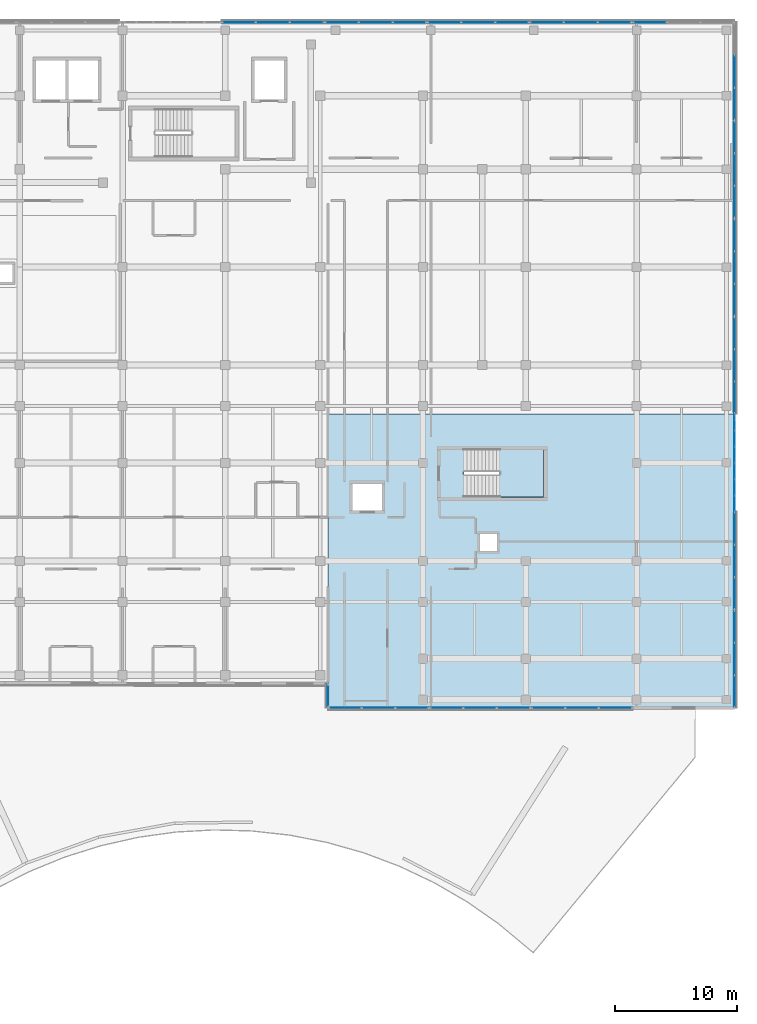
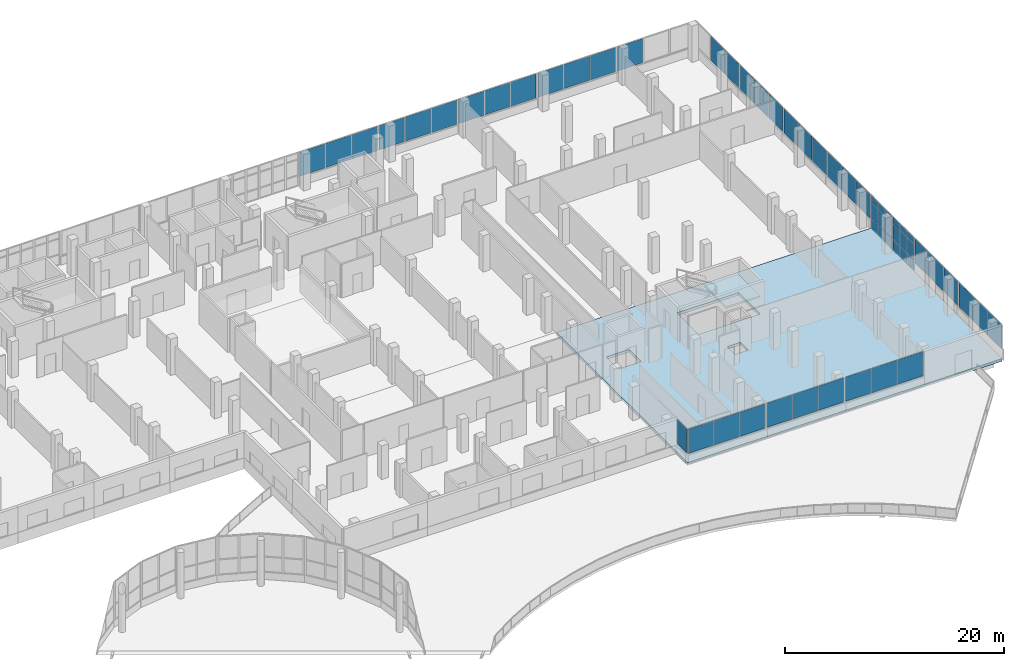
# One storey, part 80 of 101: 58 plates, 2 slabs, 17 elements without a shape of their own.
"""IFC4 building model written with IfcOpenShell, lengths in metres."""

import ifcopenshell
import ifcopenshell.guid

model = None  # the IFC model being written
_history = None  # IfcOwnerHistory: only IFC2X3 demands one
_inside = {}  # id of a spatial element -> (the spatial element, [elements in it])
_under = {}  # id of a project, library or spatial element -> (it, [spatial elements below it])
_declared = {}  # id of a project -> (the project, [libraries it declares])
_typed = {}  # id of a type object -> (the type object, [elements of that type])
_made_of = {}  # id of a material, layer set ... -> (it, [elements and type objects made of it])


def new_model(schema):
    """Start an empty IFC model of exactly this schema.

    Asked for "IFC4X3", IfcOpenShell would pick the latest addendum, in which some entities
    have other attributes; the version numbers below select the first issue.
    IFC2X3 requires an IfcOwnerHistory on every rooted entity: one is made here for all.
    """
    global model, _history
    if schema == "IFC4X3":
        model = ifcopenshell.file(schema_version=(4, 3, 0, 0))
    else:
        model = ifcopenshell.file(schema=schema)
    _inside.clear()
    _under.clear()
    _declared.clear()
    _typed.clear()
    _made_of.clear()
    _history = None
    if model.schema == "IFC2X3":
        org = make("IfcOrganization", Name="unknown")
        user = make(
            "IfcPersonAndOrganization",
            ThePerson=make("IfcPerson", FamilyName="unknown"),
            TheOrganization=org,
        )
        app = make(
            "IfcApplication",
            ApplicationDeveloper=org,
            Version="unknown",
            ApplicationFullName="unknown",
            ApplicationIdentifier="unknown",
        )
        _history = make(
            "IfcOwnerHistory",
            OwningUser=user,
            OwningApplication=app,
            ChangeAction="ADDED",
            CreationDate=0,
        )
    return model


def make(cls, **values):
    """One entity of the class cls with the attributes given. An attribute that is None is left unset."""
    return model.create_entity(
        cls, **{name: value for name, value in values.items() if value is not None}
    )


def rooted(cls, **values):
    """An entity with a GlobalId (a new one), such as an element, a storey or a relation."""
    return make(cls, GlobalId=ifcopenshell.guid.new(), OwnerHistory=_history, **values)


def si_unit(unit_type, name, prefix=None):
    """IfcSIUnit, for example si_unit("LENGTHUNIT", "METRE", prefix="MILLI")."""
    return make("IfcSIUnit", UnitType=unit_type, Prefix=prefix, Name=name)


def assignment(units):
    """IfcUnitAssignment: the units of a project."""
    return None if units is None else make("IfcUnitAssignment", Units=units)


def point(xyz):
    """IfcCartesianPoint."""
    return None if xyz is None else make("IfcCartesianPoint", Coordinates=xyz)


def direction(xyz):
    """IfcDirection."""
    return None if xyz is None else make("IfcDirection", DirectionRatios=xyz)


def frame(location, z_axis=None, x_axis=None):
    """IfcAxis2Placement3D, a coordinate frame: its origin and axes. An axis left out is left unset."""
    return make(
        "IfcAxis2Placement3D",
        Location=point(location),
        Axis=direction(z_axis),
        RefDirection=direction(x_axis),
    )


def frame_2d(location, x_axis=None):
    """IfcAxis2Placement2D, a coordinate frame in the plane: its origin and x axis."""
    return make(
        "IfcAxis2Placement2D", Location=point(location), RefDirection=direction(x_axis)
    )


def origin():
    """The frame at (0, 0, 0) with its axes left unset."""
    return frame((0.0, 0.0, 0.0))


def origin_2d():
    """The frame at (0, 0) in the plane with its x axis left unset."""
    return frame_2d((0.0, 0.0))


def place(relative_to, where):
    """IfcLocalPlacement: puts the frame where relative to a parent placement (None: the world)."""
    return make(
        "IfcLocalPlacement", PlacementRelTo=relative_to, RelativePlacement=where
    )


def context(
    kind, dimensions, precision=None, world=None, true_north=None, identifier=None
):
    """IfcGeometricRepresentationContext, for example the 3D "Model" context."""
    return make(
        "IfcGeometricRepresentationContext",
        ContextIdentifier=identifier,
        ContextType=kind,
        CoordinateSpaceDimension=dimensions,
        Precision=precision,
        WorldCoordinateSystem=world,
        TrueNorth=true_north,
    )


def subcontext(parent, identifier, kind, view, scale=None):
    """IfcGeometricRepresentationSubContext, for example "Body" below "Model"."""
    return make(
        "IfcGeometricRepresentationSubContext",
        ContextIdentifier=identifier,
        ContextType=kind,
        ParentContext=parent,
        TargetScale=scale,
        TargetView=view,
    )


def project(units=None, contexts=None):
    """IfcProject with its units and contexts."""
    return rooted(
        "IfcProject",
        Name="project",
        RepresentationContexts=contexts,
        UnitsInContext=assignment(units),
    )


def spatial(cls, under=None, at=None, **own):
    """A site, building, storey or space (cls), placed at a placement, below another one or the project."""
    s = rooted(cls, ObjectPlacement=at, **own)
    if under is not None:
        _under.setdefault(under.id(), (under, []))[1].append(s)
    return s


def polyline(points):
    """IfcPolyline through the points."""
    return make("IfcPolyline", Points=[point(p) for p in points])


def profile(cls, at=None, kind="AREA", **sizes):
    """A parametric profile (cls). Its sizes go by their IFC names, for example OverallWidth=200.0."""
    return make(cls, ProfileType=kind, Position=at, **sizes)


def rectangle(**sizes):
    """IfcRectangleProfileDef."""
    return profile("IfcRectangleProfileDef", **sizes)


def outline(outer, holes=None, kind="AREA"):
    """IfcArbitraryClosedProfileDef: a profile drawn as a closed curve; with holes, ...WithVoids."""
    if holes is None:
        return make("IfcArbitraryClosedProfileDef", ProfileType=kind, OuterCurve=outer)
    return make(
        "IfcArbitraryProfileDefWithVoids",
        ProfileType=kind,
        OuterCurve=outer,
        InnerCurves=holes,
    )


def extrude(swept, where, along, depth):
    """IfcExtrudedAreaSolid: the profile swept, set in the frame where, extruded along a direction by depth."""
    return make(
        "IfcExtrudedAreaSolid",
        SweptArea=swept,
        Position=where,
        ExtrudedDirection=direction(along),
        Depth=depth,
    )


def shape(context_of_items, identifier, shape_type, items):
    """IfcShapeRepresentation: the items that make up one representation, for example the "Body"."""
    return make(
        "IfcShapeRepresentation",
        ContextOfItems=context_of_items,
        RepresentationIdentifier=identifier,
        RepresentationType=shape_type,
        Items=items,
    )


def material(Name=None, Category=None):
    """IfcMaterial."""
    return make("IfcMaterial", Name=Name, Category=Category)


def layer(
    of_material, thickness, ventilated=None, Name=None, Category=None, Priority=None
):
    """IfcMaterialLayer: one layer of a wall or slab, of a material (None: an air gap)."""
    return make(
        "IfcMaterialLayer",
        Material=of_material,
        LayerThickness=thickness,
        IsVentilated=ventilated,
        Name=Name,
        Category=Category,
        Priority=Priority,
    )


def layer_set(layers, Name=None):
    """IfcMaterialLayerSet."""
    return make("IfcMaterialLayerSet", MaterialLayers=layers, LayerSetName=Name)


def made_of(thing, what):
    """Note that an element or type object is made of a material, layer set ...; save() writes the relation."""
    if what is not None:
        _made_of.setdefault(what.id(), (what, []))[1].append(thing)
    return thing


def type_object(cls, material=None, **own):
    """A type object (cls), such as IfcWallType, which elements share."""
    return made_of(rooted(cls, **own), material)


def element(
    cls,
    number,
    at=None,
    inside=None,
    cuts=None,
    type_object=None,
    material=None,
    context=None,
    identifier="Body",
    shape_type=None,
    held_by="IfcProductDefinitionShape",
    body=None,
    shapes=None,
    **own,
):
    """One element of the class cls, such as IfcWall. Its Tag is "e" and its number.

    at: its placement. inside: the storey or other place that contains it. cuts: it is an
    opening in that element (IfcRelVoidsElement). A single representation is given by context,
    identifier, shape_type and body (its items); several are given by shapes. held_by: the class
    of the entity that holds the representations. save() writes the other relations.
    """
    e = rooted(cls, Tag="e%d" % number, ObjectPlacement=at, **own)
    if body is not None:
        shapes = [shape(context, identifier, shape_type, body)]
    if shapes is not None:
        e.Representation = make(held_by, Representations=shapes)
    if inside is not None:
        _inside.setdefault(inside.id(), (inside, []))[1].append(e)
    if cuts is not None:
        rooted(
            "IfcRelVoidsElement", RelatingBuildingElement=cuts, RelatedOpeningElement=e
        )
    if type_object is not None:
        _typed.setdefault(type_object.id(), (type_object, []))[1].append(e)
    return made_of(e, material)


def aggregate(whole, parts):
    """IfcRelAggregates: a whole, such as a stair, and the parts it consists of."""
    return rooted("IfcRelAggregates", RelatingObject=whole, RelatedObjects=parts)


def save(model, path):
    """Write the relations noted so far, then the file.

    IfcRelAggregates (storeys below a building ...), IfcRelContainedInSpatialStructure (elements
    in a storey), IfcRelDefinesByType, IfcRelAssociatesMaterial and IfcRelDeclares: one each for
    every whole, place, type object, material and project.
    """
    for whole, parts in _under.values():
        aggregate(whole, parts)
    for where, things in _inside.values():
        rooted(
            "IfcRelContainedInSpatialStructure",
            RelatedElements=things,
            RelatingStructure=where,
        )
    for kind, things in _typed.values():
        rooted("IfcRelDefinesByType", RelatedObjects=things, RelatingType=kind)
    for what, things in _made_of.values():
        rooted("IfcRelAssociatesMaterial", RelatedObjects=things, RelatingMaterial=what)
    for by, libraries in _declared.values():
        rooted("IfcRelDeclares", RelatingContext=by, RelatedDefinitions=libraries)
    model.write(path)


model = new_model("IFC4")

# Units and contexts
model_context = context("Model", 3, precision=1e-05, world=origin(), true_north=direction((0.0, 1.0)))
body_context = subcontext(model_context, "Body", "Model", "MODEL_VIEW")
ifc_project = project(units=[si_unit("LENGTHUNIT", "METRE"), si_unit("AREAUNIT", "SQUARE_METRE"), si_unit("VOLUMEUNIT", "CUBIC_METRE"), si_unit("PLANEANGLEUNIT", "RADIAN"), si_unit("MASSUNIT", "GRAM", prefix="KILO")], contexts=[model_context])

# Site, building, storey
site_placement = place(None, origin())
site = spatial("IfcSite", under=ifc_project, at=site_placement, CompositionType="ELEMENT")
building_placement = place(site_placement, origin())
building = spatial("IfcBuilding", under=site, at=building_placement, Name="Selatvlak General Hospital", CompositionType="ELEMENT")
storey_placement = place(building_placement, frame((0.0, 0.0, 19.199951171875)))
storey = spatial("IfcBuildingStorey", under=building, at=storey_placement, Name="L04", CompositionType="ELEMENT", Elevation=19.199951171875)

# Curtain wall, plates
ifc_material_1 = material(Name="Solar-control Low-E double glazing", Category="glass")
curtain_wall_type_1 = type_object("IfcCurtainWallType", Name="CW-CW-01", PredefinedType="USERDEFINED", material=ifc_material_1)
curtain_wall_1_placement = place(storey_placement, origin())
curtain_wall_1 = element("IfcCurtainWall", 1, at=curtain_wall_1_placement, inside=storey, type_object=curtain_wall_type_1, Name="Glazed facade curtain wall CW-L04-0495", ObjectType="UNITISED CURTAIN WALL", PredefinedType="USERDEFINED")
ifc_layer_1 = layer(ifc_material_1, 0.028076171875, Name="Solar-control Low-E double glazing", Category="glass")
ifc_layer_set_1 = layer_set([ifc_layer_1], Name="Solar-control Low-E double glazing")
plate_type = type_object("IfcPlateType", Name="CWP-01", PredefinedType="CURTAIN_PANEL", material=ifc_layer_set_1)
plate_1_placement = place(storey_placement, frame((141.52197265625, 120.0, 1.0048828125), z_axis=(0.0, 0.0, 1.0), x_axis=(1.0, 0.0, 0.0)))
plate_1 = element("IfcPlate", 2, at=plate_1_placement, type_object=plate_type, Name="CW-01 panel 1.1", PredefinedType="CURTAIN_PANEL", context=body_context, shape_type="SweptSolid", body=[
    extrude(rectangle(XDim=2.685791015625, YDim=0.028076171875, at=origin_2d()), origin(), (0.0, 0.0, 1.0), 2.699951171875),
])
plate_2_placement = place(storey_placement, frame((144.2890625, 120.0, 1.0048828125), z_axis=(0.0, 0.0, 1.0), x_axis=(1.0, 0.0, 0.0)))
plate_2 = element("IfcPlate", 3, at=plate_2_placement, type_object=plate_type, Name="CW-01 panel 2.1", PredefinedType="CURTAIN_PANEL", context=body_context, shape_type="SweptSolid", body=[
    extrude(rectangle(XDim=2.71826171875, YDim=0.028076171875, at=origin_2d()), origin(), (0.0, 0.0, 1.0), 2.699951171875),
])
plate_3_placement = place(storey_placement, frame((147.05615234375, 120.0, 1.0048828125), z_axis=(0.0, 0.0, 1.0), x_axis=(1.0, 0.0, 0.0)))
plate_3 = element("IfcPlate", 4, at=plate_3_placement, type_object=plate_type, Name="CW-01 panel 3.1", PredefinedType="CURTAIN_PANEL", context=body_context, shape_type="SweptSolid", body=[
    extrude(rectangle(XDim=2.685791015625, YDim=0.028076171875, at=origin_2d()), origin(), (0.0, 0.0, 1.0), 2.699951171875),
])
aggregate(curtain_wall_1, [plate_1, plate_2, plate_3])

curtain_wall_type_2 = type_object("IfcCurtainWallType", Name="CW-CW-02", PredefinedType="USERDEFINED", material=ifc_material_1)
curtain_wall_2_placement = place(storey_placement, origin())
curtain_wall_2 = element("IfcCurtainWall", 5, at=curtain_wall_2_placement, inside=storey, type_object=curtain_wall_type_2, Name="Glazed facade curtain wall CW-L04-0496", ObjectType="UNITISED CURTAIN WALL", PredefinedType="USERDEFINED")
plate_4_placement = place(storey_placement, frame((149.943603515625, 120.0, 1.0048828125), z_axis=(0.0, 0.0, 1.0), x_axis=(1.0, 0.0, 0.0)))
plate_4 = element("IfcPlate", 6, at=plate_4_placement, type_object=plate_type, Name="CW-02 panel 1.1", PredefinedType="CURTAIN_PANEL", context=body_context, shape_type="SweptSolid", body=[
    extrude(rectangle(XDim=2.669189453125, YDim=0.028076171875, at=origin_2d()), origin(), (0.0, 0.0, 1.0), 2.699951171875),
])
plate_5_placement = place(storey_placement, frame((152.694091796875, 120.0, 1.0048828125), z_axis=(0.0, 0.0, 1.0), x_axis=(1.0, 0.0, 0.0)))
plate_5 = element("IfcPlate", 7, at=plate_5_placement, type_object=plate_type, Name="CW-02 panel 2.1", PredefinedType="CURTAIN_PANEL", context=body_context, shape_type="SweptSolid", body=[
    extrude(rectangle(XDim=2.70166015625, YDim=0.028076171875, at=origin_2d()), origin(), (0.0, 0.0, 1.0), 2.699951171875),
])
plate_6_placement = place(storey_placement, frame((155.4443359375, 120.0, 1.0048828125), z_axis=(0.0, 0.0, 1.0), x_axis=(1.0, 0.0, 0.0)))
plate_6 = element("IfcPlate", 8, at=plate_6_placement, type_object=plate_type, Name="CW-02 panel 3.1", PredefinedType="CURTAIN_PANEL", context=body_context, shape_type="SweptSolid", body=[
    extrude(rectangle(XDim=2.669189453125, YDim=0.028076171875, at=origin_2d()), origin(), (0.0, 0.0, 1.0), 2.699951171875),
])
aggregate(curtain_wall_2, [plate_4, plate_5, plate_6])

curtain_wall_3_placement = place(storey_placement, origin())
curtain_wall_3 = element("IfcCurtainWall", 9, at=curtain_wall_3_placement, inside=storey, type_object=curtain_wall_type_1, Name="Glazed facade curtain wall CW-L04-0497", ObjectType="UNITISED CURTAIN WALL", PredefinedType="USERDEFINED")
plate_7_placement = place(storey_placement, frame((158.323486328125, 120.0, 1.0048828125), z_axis=(0.0, 0.0, 1.0), x_axis=(1.0, 0.0, 0.0)))
plate_7 = element("IfcPlate", 10, at=plate_7_placement, type_object=plate_type, Name="CW-01 panel 1.1", PredefinedType="CURTAIN_PANEL", context=body_context, shape_type="SweptSolid", body=[
    extrude(rectangle(XDim=2.669189453125, YDim=0.028076171875, at=origin_2d()), origin(), (0.0, 0.0, 1.0), 2.699951171875),
])
plate_8_placement = place(storey_placement, frame((161.073974609375, 120.0, 1.0048828125), z_axis=(0.0, 0.0, 1.0), x_axis=(1.0, 0.0, 0.0)))
plate_8 = element("IfcPlate", 11, at=plate_8_placement, type_object=plate_type, Name="CW-01 panel 2.1", PredefinedType="CURTAIN_PANEL", context=body_context, shape_type="SweptSolid", body=[
    extrude(rectangle(XDim=2.70166015625, YDim=0.028076171875, at=origin_2d()), origin(), (0.0, 0.0, 1.0), 2.699951171875),
])
plate_9_placement = place(storey_placement, frame((163.824462890625, 120.0, 1.0048828125), z_axis=(0.0, 0.0, 1.0), x_axis=(1.0, 0.0, 0.0)))
plate_9 = element("IfcPlate", 12, at=plate_9_placement, type_object=plate_type, Name="CW-01 panel 3.1", PredefinedType="CURTAIN_PANEL", context=body_context, shape_type="SweptSolid", body=[
    extrude(rectangle(XDim=2.669189453125, YDim=0.028076171875, at=origin_2d()), origin(), (0.0, 0.0, 1.0), 2.699951171875),
])
aggregate(curtain_wall_3, [plate_7, plate_8, plate_9])

curtain_wall_4_placement = place(storey_placement, origin())
curtain_wall_4 = element("IfcCurtainWall", 13, at=curtain_wall_4_placement, inside=storey, type_object=curtain_wall_type_2, Name="Glazed facade curtain wall CW-L04-0498", ObjectType="UNITISED CURTAIN WALL", PredefinedType="USERDEFINED")
plate_10_placement = place(storey_placement, frame((166.70361328125, 120.0, 1.0048828125), z_axis=(0.0, 0.0, 1.0), x_axis=(1.0, 0.0, 0.0)))
plate_10 = element("IfcPlate", 14, at=plate_10_placement, type_object=plate_type, Name="CW-02 panel 1.1", PredefinedType="CURTAIN_PANEL", context=body_context, shape_type="SweptSolid", body=[
    extrude(rectangle(XDim=2.669189453125, YDim=0.028076171875, at=origin_2d()), origin(), (0.0, 0.0, 1.0), 2.699951171875),
])
plate_11_placement = place(storey_placement, frame((169.4541015625, 120.0, 1.0048828125), z_axis=(0.0, 0.0, 1.0), x_axis=(1.0, 0.0, 0.0)))
plate_11 = element("IfcPlate", 15, at=plate_11_placement, type_object=plate_type, Name="CW-02 panel 2.1", PredefinedType="CURTAIN_PANEL", context=body_context, shape_type="SweptSolid", body=[
    extrude(rectangle(XDim=2.70166015625, YDim=0.028076171875, at=origin_2d()), origin(), (0.0, 0.0, 1.0), 2.699951171875),
])
plate_12_placement = place(storey_placement, frame((172.204345703125, 120.0, 1.0048828125), z_axis=(0.0, 0.0, 1.0), x_axis=(1.0, 0.0, 0.0)))
plate_12 = element("IfcPlate", 16, at=plate_12_placement, type_object=plate_type, Name="CW-02 panel 3.1", PredefinedType="CURTAIN_PANEL", context=body_context, shape_type="SweptSolid", body=[
    extrude(rectangle(XDim=2.669189453125, YDim=0.028076171875, at=origin_2d()), origin(), (0.0, 0.0, 1.0), 2.699951171875),
])
aggregate(curtain_wall_4, [plate_10, plate_11, plate_12])

# Curtain wall, plate
curtain_wall_5_placement = place(storey_placement, origin())
curtain_wall_5 = element("IfcCurtainWall", 17, at=curtain_wall_5_placement, inside=storey, type_object=curtain_wall_type_1, Name="Glazed facade curtain wall CW-L04-0499", ObjectType="UNITISED CURTAIN WALL", PredefinedType="USERDEFINED")
plate_13_placement = place(storey_placement, frame((175.08349609375, 120.0, 1.0048828125), z_axis=(0.0, 0.0, 1.0), x_axis=(1.0, 0.0, 0.0)))
plate_13 = element("IfcPlate", 18, at=plate_13_placement, type_object=plate_type, Name="CW-01 panel 1.1", PredefinedType="CURTAIN_PANEL", context=body_context, shape_type="SweptSolid", body=[
    extrude(rectangle(XDim=2.669189453125, YDim=0.028076171875, at=origin_2d()), origin(), (0.0, 0.0, 1.0), 2.699951171875),
])
aggregate(curtain_wall_5, [plate_13])

# Curtain wall, plates
curtain_wall_6_placement = place(storey_placement, origin())
curtain_wall_6 = element("IfcCurtainWall", 19, at=curtain_wall_6_placement, inside=storey, type_object=curtain_wall_type_2, Name="Glazed facade curtain wall CW-L04-0500", ObjectType="UNITISED CURTAIN WALL", PredefinedType="USERDEFINED")
plate_14_placement = place(storey_placement, frame((181.9990234375, 115.97509765625, 1.0048828125), z_axis=(0.0, 0.0, 1.0), x_axis=(0.0, -1.0, 0.0)))
plate_14 = element("IfcPlate", 20, at=plate_14_placement, type_object=plate_type, Name="CW-02 panel 2.1", PredefinedType="CURTAIN_PANEL", context=body_context, shape_type="SweptSolid", body=[
    extrude(rectangle(XDim=2.574951171875, YDim=0.028076171875, at=origin_2d()), origin(), (0.0, 0.0, 1.0), 2.699951171875),
])
plate_15_placement = place(storey_placement, frame((181.9990234375, 113.351318359375, 1.0048828125), z_axis=(0.0, 0.0, 1.0), x_axis=(0.0, -1.0, 0.0)))
plate_15 = element("IfcPlate", 21, at=plate_15_placement, type_object=plate_type, Name="CW-02 panel 3.1", PredefinedType="CURTAIN_PANEL", context=body_context, shape_type="SweptSolid", body=[
    extrude(rectangle(XDim=2.54248046875, YDim=0.028076171875, at=origin_2d()), origin(), (0.0, 0.0, 1.0), 2.699951171875),
])
aggregate(curtain_wall_6, [plate_14, plate_15])

curtain_wall_7_placement = place(storey_placement, origin())
curtain_wall_7 = element("IfcCurtainWall", 22, at=curtain_wall_7_placement, inside=storey, type_object=curtain_wall_type_1, Name="Glazed facade curtain wall CW-L04-0501", ObjectType="UNITISED CURTAIN WALL", PredefinedType="USERDEFINED")
plate_16_placement = place(storey_placement, frame((181.999267578125, 110.598876953125, 1.0048828125), z_axis=(0.0, 0.0, 1.0), x_axis=(0.000126278568, -0.999999992027, 0.0)))
plate_16 = element("IfcPlate", 23, at=plate_16_placement, type_object=plate_type, Name="CW-01 panel 1.1", PredefinedType="CURTAIN_PANEL", context=body_context, shape_type="SweptSolid", body=[
    extrude(rectangle(XDim=2.542236328125, YDim=0.028076171875, at=origin_2d()), origin(), (0.0, 0.0, 1.0), 2.699951171875),
])
plate_17_placement = place(storey_placement, frame((181.99951171875, 107.9755859375, 1.0048828125), z_axis=(0.0, 0.0, 1.0), x_axis=(0.000126278568, -0.999999992027, 0.0)))
plate_17 = element("IfcPlate", 24, at=plate_17_placement, type_object=plate_type, Name="CW-01 panel 2.1", PredefinedType="CURTAIN_PANEL", context=body_context, shape_type="SweptSolid", body=[
    extrude(rectangle(XDim=2.57470703125, YDim=0.028076171875, at=origin_2d()), origin(), (0.0, 0.0, 1.0), 2.699951171875),
])
plate_18_placement = place(storey_placement, frame((181.999755859375, 105.35205078125, 1.0048828125), z_axis=(0.0, 0.0, 1.0), x_axis=(0.000126278568, -0.999999992027, 0.0)))
plate_18 = element("IfcPlate", 25, at=plate_18_placement, type_object=plate_type, Name="CW-01 panel 3.1", PredefinedType="CURTAIN_PANEL", context=body_context, shape_type="SweptSolid", body=[
    extrude(rectangle(XDim=2.542236328125, YDim=0.028076171875, at=origin_2d()), origin(), (0.0, 0.0, 1.0), 2.699951171875),
])
aggregate(curtain_wall_7, [plate_16, plate_17, plate_18])

curtain_wall_8_placement = place(storey_placement, origin())
curtain_wall_8 = element("IfcCurtainWall", 26, at=curtain_wall_8_placement, inside=storey, type_object=curtain_wall_type_2, Name="Glazed facade curtain wall CW-L04-0502", ObjectType="UNITISED CURTAIN WALL", PredefinedType="USERDEFINED")
plate_19_placement = place(storey_placement, frame((182.0, 102.599853515625, 1.0048828125), z_axis=(0.0, 0.0, 1.0), x_axis=(0.0, -1.0, 0.0)))
plate_19 = element("IfcPlate", 27, at=plate_19_placement, type_object=plate_type, Name="CW-02 panel 1.1", PredefinedType="CURTAIN_PANEL", context=body_context, shape_type="SweptSolid", body=[
    extrude(rectangle(XDim=2.54248046875, YDim=0.028076171875, at=origin_2d()), origin(), (0.0, 0.0, 1.0), 2.699951171875),
])
plate_20_placement = place(storey_placement, frame((182.0, 99.97607421875, 1.0048828125), z_axis=(0.0, 0.0, 1.0), x_axis=(0.0, -1.0, 0.0)))
plate_20 = element("IfcPlate", 28, at=plate_20_placement, type_object=plate_type, Name="CW-02 panel 2.1", PredefinedType="CURTAIN_PANEL", context=body_context, shape_type="SweptSolid", body=[
    extrude(rectangle(XDim=2.574951171875, YDim=0.028076171875, at=origin_2d()), origin(), (0.0, 0.0, 1.0), 2.699951171875),
])
plate_21_placement = place(storey_placement, frame((182.0, 97.352294921875, 1.0048828125), z_axis=(0.0, 0.0, 1.0), x_axis=(0.0, -1.0, 0.0)))
plate_21 = element("IfcPlate", 29, at=plate_21_placement, type_object=plate_type, Name="CW-02 panel 3.1", PredefinedType="CURTAIN_PANEL", context=body_context, shape_type="SweptSolid", body=[
    extrude(rectangle(XDim=2.54248046875, YDim=0.028076171875, at=origin_2d()), origin(), (0.0, 0.0, 1.0), 2.699951171875),
])
aggregate(curtain_wall_8, [plate_19, plate_20, plate_21])

curtain_wall_9_placement = place(storey_placement, origin())
curtain_wall_9 = element("IfcCurtainWall", 30, at=curtain_wall_9_placement, inside=storey, type_object=curtain_wall_type_1, Name="Glazed facade curtain wall CW-L04-0503", ObjectType="UNITISED CURTAIN WALL", PredefinedType="USERDEFINED")
plate_22_placement = place(storey_placement, frame((182.0, 94.599853515625, 1.0048828125), z_axis=(0.0, 0.0, 1.0), x_axis=(0.0, -1.0, 0.0)))
plate_22 = element("IfcPlate", 31, at=plate_22_placement, type_object=plate_type, Name="CW-01 panel 1.1", PredefinedType="CURTAIN_PANEL", context=body_context, shape_type="SweptSolid", body=[
    extrude(rectangle(XDim=2.54248046875, YDim=0.028076171875, at=origin_2d()), origin(), (0.0, 0.0, 1.0), 2.699951171875),
])
plate_23_placement = place(storey_placement, frame((182.0, 91.97607421875, 1.0048828125), z_axis=(0.0, 0.0, 1.0), x_axis=(0.0, -1.0, 0.0)))
plate_23 = element("IfcPlate", 32, at=plate_23_placement, type_object=plate_type, Name="CW-01 panel 2.1", PredefinedType="CURTAIN_PANEL", context=body_context, shape_type="SweptSolid", body=[
    extrude(rectangle(XDim=2.574951171875, YDim=0.028076171875, at=origin_2d()), origin(), (0.0, 0.0, 1.0), 2.699951171875),
])
plate_24_placement = place(storey_placement, frame((182.0, 89.352294921875, 1.0048828125), z_axis=(0.0, 0.0, 1.0), x_axis=(0.0, -1.0, 0.0)))
plate_24 = element("IfcPlate", 33, at=plate_24_placement, type_object=plate_type, Name="CW-01 panel 3.1", PredefinedType="CURTAIN_PANEL", context=body_context, shape_type="SweptSolid", body=[
    extrude(rectangle(XDim=2.54248046875, YDim=0.028076171875, at=origin_2d()), origin(), (0.0, 0.0, 1.0), 2.699951171875),
])
aggregate(curtain_wall_9, [plate_22, plate_23, plate_24])

curtain_wall_type_3 = type_object("IfcCurtainWallType", Name="CW-CW-04", PredefinedType="USERDEFINED", material=ifc_material_1)
curtain_wall_10_placement = place(storey_placement, origin())
curtain_wall_10 = element("IfcCurtainWall", 34, at=curtain_wall_10_placement, inside=storey, type_object=curtain_wall_type_3, Name="Glazed facade curtain wall CW-L04-0504", ObjectType="STICK GLAZING WALL", PredefinedType="USERDEFINED")
plate_25_placement = place(storey_placement, frame((182.0, 87.3056640625, 0.06494140625), z_axis=(0.0, 0.0, 1.0), x_axis=(0.0, -1.0, 0.0)))
plate_25 = element("IfcPlate", 35, at=plate_25_placement, type_object=plate_type, Name="CW-04 panel 1.1", PredefinedType="CURTAIN_PANEL", context=body_context, shape_type="SweptSolid", body=[
    extrude(rectangle(XDim=1.230712890625, YDim=0.028076171875, at=origin_2d()), origin(), (0.0, 0.0, 1.0), 1.1025390625),
])
plate_26_placement = place(storey_placement, frame((182.0, 87.3056640625, 1.232421875), z_axis=(0.0, 0.0, 1.0), x_axis=(0.0, -1.0, 0.0)))
plate_26 = element("IfcPlate", 36, at=plate_26_placement, type_object=plate_type, Name="CW-04 panel 1.2", PredefinedType="CURTAIN_PANEL", context=body_context, shape_type="SweptSolid", body=[
    extrude(rectangle(XDim=1.230712890625, YDim=0.028076171875, at=origin_2d()), origin(), (0.0, 0.0, 1.0), 1.705078125),
])
plate_27_placement = place(storey_placement, frame((182.0, 87.3056640625, 3.00244140625), z_axis=(0.0, 0.0, 1.0), x_axis=(0.0, -1.0, 0.0)))
plate_27 = element("IfcPlate", 37, at=plate_27_placement, type_object=plate_type, Name="CW-04 panel 1.3", PredefinedType="CURTAIN_PANEL", context=body_context, shape_type="SweptSolid", body=[
    extrude(rectangle(XDim=1.230712890625, YDim=0.028076171875, at=origin_2d()), origin(), (0.0, 0.0, 1.0), 0.702392578125),
])
plate_28_placement = place(storey_placement, frame((182.0, 85.993408203125, 0.06494140625), z_axis=(0.0, 0.0, 1.0), x_axis=(0.0, -1.0, 0.0)))
plate_28 = element("IfcPlate", 38, at=plate_28_placement, type_object=plate_type, Name="CW-04 panel 2.1", PredefinedType="CURTAIN_PANEL", context=body_context, shape_type="SweptSolid", body=[
    extrude(rectangle(XDim=1.263427734375, YDim=0.028076171875, at=origin_2d()), origin(), (0.0, 0.0, 1.0), 1.1025390625),
])
plate_29_placement = place(storey_placement, frame((182.0, 85.993408203125, 1.232421875), z_axis=(0.0, 0.0, 1.0), x_axis=(0.0, -1.0, 0.0)))
plate_29 = element("IfcPlate", 39, at=plate_29_placement, type_object=plate_type, Name="CW-04 panel 2.2", PredefinedType="CURTAIN_PANEL", context=body_context, shape_type="SweptSolid", body=[
    extrude(rectangle(XDim=1.263427734375, YDim=0.028076171875, at=origin_2d()), origin(), (0.0, 0.0, 1.0), 1.705078125),
])
plate_30_placement = place(storey_placement, frame((182.0, 85.993408203125, 3.00244140625), z_axis=(0.0, 0.0, 1.0), x_axis=(0.0, -1.0, 0.0)))
plate_30 = element("IfcPlate", 40, at=plate_30_placement, type_object=plate_type, Name="CW-04 panel 2.3", PredefinedType="CURTAIN_PANEL", context=body_context, shape_type="SweptSolid", body=[
    extrude(rectangle(XDim=1.263427734375, YDim=0.028076171875, at=origin_2d()), origin(), (0.0, 0.0, 1.0), 0.702392578125),
])
plate_31_placement = place(storey_placement, frame((182.0, 84.665283203125, 0.06494140625), z_axis=(0.0, 0.0, 1.0), x_axis=(0.0, -1.0, 0.0)))
plate_31 = element("IfcPlate", 41, at=plate_31_placement, type_object=plate_type, Name="CW-04 panel 3.1", PredefinedType="CURTAIN_PANEL", context=body_context, shape_type="SweptSolid", body=[
    extrude(rectangle(XDim=1.263427734375, YDim=0.028076171875, at=origin_2d()), origin(), (0.0, 0.0, 1.0), 1.1025390625),
])
plate_32_placement = place(storey_placement, frame((182.0, 84.665283203125, 1.232421875), z_axis=(0.0, 0.0, 1.0), x_axis=(0.0, -1.0, 0.0)))
plate_32 = element("IfcPlate", 42, at=plate_32_placement, type_object=plate_type, Name="CW-04 panel 3.2", PredefinedType="CURTAIN_PANEL", context=body_context, shape_type="SweptSolid", body=[
    extrude(rectangle(XDim=1.263427734375, YDim=0.028076171875, at=origin_2d()), origin(), (0.0, 0.0, 1.0), 1.705078125),
])
plate_33_placement = place(storey_placement, frame((182.0, 84.665283203125, 3.00244140625), z_axis=(0.0, 0.0, 1.0), x_axis=(0.0, -1.0, 0.0)))
plate_33 = element("IfcPlate", 43, at=plate_33_placement, type_object=plate_type, Name="CW-04 panel 3.3", PredefinedType="CURTAIN_PANEL", context=body_context, shape_type="SweptSolid", body=[
    extrude(rectangle(XDim=1.263427734375, YDim=0.028076171875, at=origin_2d()), origin(), (0.0, 0.0, 1.0), 0.702392578125),
])
plate_34_placement = place(storey_placement, frame((182.0, 83.3369140625, 0.06494140625), z_axis=(0.0, 0.0, 1.0), x_axis=(0.0, -1.0, 0.0)))
plate_34 = element("IfcPlate", 44, at=plate_34_placement, type_object=plate_type, Name="CW-04 panel 4.1", PredefinedType="CURTAIN_PANEL", context=body_context, shape_type="SweptSolid", body=[
    extrude(rectangle(XDim=1.263427734375, YDim=0.028076171875, at=origin_2d()), origin(), (0.0, 0.0, 1.0), 1.1025390625),
])
plate_35_placement = place(storey_placement, frame((182.0, 83.3369140625, 1.232421875), z_axis=(0.0, 0.0, 1.0), x_axis=(0.0, -1.0, 0.0)))
plate_35 = element("IfcPlate", 45, at=plate_35_placement, type_object=plate_type, Name="CW-04 panel 4.2", PredefinedType="CURTAIN_PANEL", context=body_context, shape_type="SweptSolid", body=[
    extrude(rectangle(XDim=1.263427734375, YDim=0.028076171875, at=origin_2d()), origin(), (0.0, 0.0, 1.0), 1.705078125),
])
plate_36_placement = place(storey_placement, frame((182.0, 83.3369140625, 3.00244140625), z_axis=(0.0, 0.0, 1.0), x_axis=(0.0, -1.0, 0.0)))
plate_36 = element("IfcPlate", 46, at=plate_36_placement, type_object=plate_type, Name="CW-04 panel 4.3", PredefinedType="CURTAIN_PANEL", context=body_context, shape_type="SweptSolid", body=[
    extrude(rectangle(XDim=1.263427734375, YDim=0.028076171875, at=origin_2d()), origin(), (0.0, 0.0, 1.0), 0.702392578125),
])
plate_37_placement = place(storey_placement, frame((182.0, 82.008544921875, 0.06494140625), z_axis=(0.0, 0.0, 1.0), x_axis=(0.0, -1.0, 0.0)))
plate_37 = element("IfcPlate", 47, at=plate_37_placement, type_object=plate_type, Name="CW-04 panel 5.1", PredefinedType="CURTAIN_PANEL", context=body_context, shape_type="SweptSolid", body=[
    extrude(rectangle(XDim=1.263427734375, YDim=0.028076171875, at=origin_2d()), origin(), (0.0, 0.0, 1.0), 1.1025390625),
])
plate_38_placement = place(storey_placement, frame((182.0, 82.008544921875, 1.232421875), z_axis=(0.0, 0.0, 1.0), x_axis=(0.0, -1.0, 0.0)))
plate_38 = element("IfcPlate", 48, at=plate_38_placement, type_object=plate_type, Name="CW-04 panel 5.2", PredefinedType="CURTAIN_PANEL", context=body_context, shape_type="SweptSolid", body=[
    extrude(rectangle(XDim=1.263427734375, YDim=0.028076171875, at=origin_2d()), origin(), (0.0, 0.0, 1.0), 1.705078125),
])
plate_39_placement = place(storey_placement, frame((182.0, 82.008544921875, 3.00244140625), z_axis=(0.0, 0.0, 1.0), x_axis=(0.0, -1.0, 0.0)))
plate_39 = element("IfcPlate", 49, at=plate_39_placement, type_object=plate_type, Name="CW-04 panel 5.3", PredefinedType="CURTAIN_PANEL", context=body_context, shape_type="SweptSolid", body=[
    extrude(rectangle(XDim=1.263427734375, YDim=0.028076171875, at=origin_2d()), origin(), (0.0, 0.0, 1.0), 0.702392578125),
])
plate_40_placement = place(storey_placement, frame((182.0, 80.696533203125, 0.06494140625), z_axis=(0.0, 0.0, 1.0), x_axis=(0.0, -1.0, 0.0)))
plate_40 = element("IfcPlate", 50, at=plate_40_placement, type_object=plate_type, Name="CW-04 panel 6.1", PredefinedType="CURTAIN_PANEL", context=body_context, shape_type="SweptSolid", body=[
    extrude(rectangle(XDim=1.230712890625, YDim=0.028076171875, at=origin_2d()), origin(), (0.0, 0.0, 1.0), 1.1025390625),
])
plate_41_placement = place(storey_placement, frame((182.0, 80.696533203125, 1.232421875), z_axis=(0.0, 0.0, 1.0), x_axis=(0.0, -1.0, 0.0)))
plate_41 = element("IfcPlate", 51, at=plate_41_placement, type_object=plate_type, Name="CW-04 panel 6.2", PredefinedType="CURTAIN_PANEL", context=body_context, shape_type="SweptSolid", body=[
    extrude(rectangle(XDim=1.230712890625, YDim=0.028076171875, at=origin_2d()), origin(), (0.0, 0.0, 1.0), 1.705078125),
])
plate_42_placement = place(storey_placement, frame((182.0, 80.696533203125, 3.00244140625), z_axis=(0.0, 0.0, 1.0), x_axis=(0.0, -1.0, 0.0)))
plate_42 = element("IfcPlate", 52, at=plate_42_placement, type_object=plate_type, Name="CW-04 panel 6.3", PredefinedType="CURTAIN_PANEL", context=body_context, shape_type="SweptSolid", body=[
    extrude(rectangle(XDim=1.230712890625, YDim=0.028076171875, at=origin_2d()), origin(), (0.0, 0.0, 1.0), 0.702392578125),
])
aggregate(curtain_wall_10, [plate_25, plate_26, plate_27, plate_28, plate_29, plate_30, plate_31, plate_32, plate_33, plate_34, plate_35, plate_36, plate_37, plate_38, plate_39, plate_40, plate_41, plate_42])

curtain_wall_11_placement = place(storey_placement, origin())
curtain_wall_11 = element("IfcCurtainWall", 53, at=curtain_wall_11_placement, inside=storey, type_object=curtain_wall_type_1, Name="Glazed facade curtain wall CW-L04-0505", ObjectType="UNITISED CURTAIN WALL", PredefinedType="USERDEFINED")
plate_43_placement = place(storey_placement, frame((182.0, 78.641357421875, 1.0048828125), z_axis=(0.0, 0.0, 1.0), x_axis=(0.0, -1.0, 0.0)))
plate_43 = element("IfcPlate", 54, at=plate_43_placement, type_object=plate_type, Name="CW-01 panel 1.1", PredefinedType="CURTAIN_PANEL", context=body_context, shape_type="SweptSolid", body=[
    extrude(rectangle(XDim=2.55908203125, YDim=0.028076171875, at=origin_2d()), origin(), (0.0, 0.0, 1.0), 2.699951171875),
])
plate_44_placement = place(storey_placement, frame((182.0, 76.0009765625, 1.0048828125), z_axis=(0.0, 0.0, 1.0), x_axis=(0.0, -1.0, 0.0)))
plate_44 = element("IfcPlate", 55, at=plate_44_placement, type_object=plate_type, Name="CW-01 panel 2.1", PredefinedType="CURTAIN_PANEL", context=body_context, shape_type="SweptSolid", body=[
    extrude(rectangle(XDim=2.591552734375, YDim=0.028076171875, at=origin_2d()), origin(), (0.0, 0.0, 1.0), 2.699951171875),
])
plate_45_placement = place(storey_placement, frame((182.0, 73.360595703125, 1.0048828125), z_axis=(0.0, 0.0, 1.0), x_axis=(0.0, -1.0, 0.0)))
plate_45 = element("IfcPlate", 56, at=plate_45_placement, type_object=plate_type, Name="CW-01 panel 3.1", PredefinedType="CURTAIN_PANEL", context=body_context, shape_type="SweptSolid", body=[
    extrude(rectangle(XDim=2.55908203125, YDim=0.028076171875, at=origin_2d()), origin(), (0.0, 0.0, 1.0), 2.699951171875),
])
aggregate(curtain_wall_11, [plate_43, plate_44, plate_45])

curtain_wall_12_placement = place(storey_placement, origin())
curtain_wall_12 = element("IfcCurtainWall", 57, at=curtain_wall_12_placement, inside=storey, type_object=curtain_wall_type_2, Name="Glazed facade curtain wall CW-L04-0506", ObjectType="UNITISED CURTAIN WALL", PredefinedType="USERDEFINED")
plate_46_placement = place(storey_placement, frame((182.0, 70.599853515625, 1.0048828125), z_axis=(0.0, 0.0, 1.0), x_axis=(0.0, -1.0, 0.0)))
plate_46 = element("IfcPlate", 58, at=plate_46_placement, type_object=plate_type, Name="CW-02 panel 1.1", PredefinedType="CURTAIN_PANEL", context=body_context, shape_type="SweptSolid", body=[
    extrude(rectangle(XDim=2.54248046875, YDim=0.028076171875, at=origin_2d()), origin(), (0.0, 0.0, 1.0), 2.699951171875),
])
plate_47_placement = place(storey_placement, frame((182.0, 67.97607421875, 1.0048828125), z_axis=(0.0, 0.0, 1.0), x_axis=(0.0, -1.0, 0.0)))
plate_47 = element("IfcPlate", 59, at=plate_47_placement, type_object=plate_type, Name="CW-02 panel 2.1", PredefinedType="CURTAIN_PANEL", context=body_context, shape_type="SweptSolid", body=[
    extrude(rectangle(XDim=2.574951171875, YDim=0.028076171875, at=origin_2d()), origin(), (0.0, 0.0, 1.0), 2.699951171875),
])
plate_48_placement = place(storey_placement, frame((182.0, 65.352294921875, 1.0048828125), z_axis=(0.0, 0.0, 1.0), x_axis=(0.0, -1.0, 0.0)))
plate_48 = element("IfcPlate", 60, at=plate_48_placement, type_object=plate_type, Name="CW-02 panel 3.1", PredefinedType="CURTAIN_PANEL", context=body_context, shape_type="SweptSolid", body=[
    extrude(rectangle(XDim=2.54248046875, YDim=0.028076171875, at=origin_2d()), origin(), (0.0, 0.0, 1.0), 2.699951171875),
])
aggregate(curtain_wall_12, [plate_46, plate_47, plate_48])

curtain_wall_13_placement = place(storey_placement, origin())
curtain_wall_13 = element("IfcCurtainWall", 61, at=curtain_wall_13_placement, inside=storey, type_object=curtain_wall_type_1, Name="Glazed facade curtain wall CW-L04-0507", ObjectType="UNITISED CURTAIN WALL", PredefinedType="USERDEFINED")
plate_49_placement = place(storey_placement, frame((172.29052734375, 64.0009765625, 1.0048828125), z_axis=(0.0, 0.0, 1.0), x_axis=(-1.0, 0.0, 0.0)))
plate_49 = element("IfcPlate", 62, at=plate_49_placement, type_object=plate_type, Name="CW-01 panel 1.1", PredefinedType="CURTAIN_PANEL", context=body_context, shape_type="SweptSolid", body=[
    extrude(rectangle(XDim=2.6591796875, YDim=0.028076171875, at=origin_2d()), origin(), (0.0, 0.0, 1.0), 2.699951171875),
])
plate_50_placement = place(storey_placement, frame((169.550048828125, 64.0009765625, 1.0048828125), z_axis=(0.0, 0.0, 1.0), x_axis=(-1.0, 0.0, 0.0)))
plate_50 = element("IfcPlate", 63, at=plate_50_placement, type_object=plate_type, Name="CW-01 panel 2.1", PredefinedType="CURTAIN_PANEL", context=body_context, shape_type="SweptSolid", body=[
    extrude(rectangle(XDim=2.691650390625, YDim=0.028076171875, at=origin_2d()), origin(), (0.0, 0.0, 1.0), 2.699951171875),
])
plate_51_placement = place(storey_placement, frame((166.8095703125, 64.0009765625, 1.0048828125), z_axis=(0.0, 0.0, 1.0), x_axis=(-1.0, 0.0, 0.0)))
plate_51 = element("IfcPlate", 64, at=plate_51_placement, type_object=plate_type, Name="CW-01 panel 3.1", PredefinedType="CURTAIN_PANEL", context=body_context, shape_type="SweptSolid", body=[
    extrude(rectangle(XDim=2.6591796875, YDim=0.028076171875, at=origin_2d()), origin(), (0.0, 0.0, 1.0), 2.699951171875),
])
aggregate(curtain_wall_13, [plate_49, plate_50, plate_51])

curtain_wall_14_placement = place(storey_placement, origin())
curtain_wall_14 = element("IfcCurtainWall", 65, at=curtain_wall_14_placement, inside=storey, type_object=curtain_wall_type_2, Name="Glazed facade curtain wall CW-L04-0508", ObjectType="UNITISED CURTAIN WALL", PredefinedType="USERDEFINED")
plate_52_placement = place(storey_placement, frame((163.948974609375, 64.000732421875, 1.0048828125), z_axis=(0.0, 0.0, 1.0), x_axis=(-0.999999992598, -0.00012166931, 0.0)))
plate_52 = element("IfcPlate", 66, at=plate_52_placement, type_object=plate_type, Name="CW-02 panel 1.1", PredefinedType="CURTAIN_PANEL", context=body_context, shape_type="SweptSolid", body=[
    extrude(rectangle(XDim=2.64208984375, YDim=0.028076171875, at=origin_2d()), origin(), (0.0, 0.0, 1.0), 2.699951171875),
])
plate_53_placement = place(storey_placement, frame((161.2255859375, 64.00048828125, 1.0048828125), z_axis=(0.0, 0.0, 1.0), x_axis=(-0.999999992598, -0.00012166931, 0.0)))
plate_53 = element("IfcPlate", 67, at=plate_53_placement, type_object=plate_type, Name="CW-02 panel 2.1", PredefinedType="CURTAIN_PANEL", context=body_context, shape_type="SweptSolid", body=[
    extrude(rectangle(XDim=2.674560546875, YDim=0.028076171875, at=origin_2d()), origin(), (0.0, 0.0, 1.0), 2.699951171875),
])
plate_54_placement = place(storey_placement, frame((158.502197265625, 64.000244140625, 1.0048828125), z_axis=(0.0, 0.0, 1.0), x_axis=(-0.999999992598, -0.00012166931, 0.0)))
plate_54 = element("IfcPlate", 68, at=plate_54_placement, type_object=plate_type, Name="CW-02 panel 3.1", PredefinedType="CURTAIN_PANEL", context=body_context, shape_type="SweptSolid", body=[
    extrude(rectangle(XDim=2.64208984375, YDim=0.028076171875, at=origin_2d()), origin(), (0.0, 0.0, 1.0), 2.699951171875),
])
aggregate(curtain_wall_14, [plate_52, plate_53, plate_54])

curtain_wall_15_placement = place(storey_placement, origin())
curtain_wall_15 = element("IfcCurtainWall", 69, at=curtain_wall_15_placement, inside=storey, type_object=curtain_wall_type_1, Name="Glazed facade curtain wall CW-L04-0509", ObjectType="UNITISED CURTAIN WALL", PredefinedType="USERDEFINED")
plate_55_placement = place(storey_placement, frame((155.649658203125, 64.0, 1.0048828125), z_axis=(0.0, 0.0, 1.0), x_axis=(-1.0, 0.0, 0.0)))
plate_55 = element("IfcPlate", 70, at=plate_55_placement, type_object=plate_type, Name="CW-01 panel 1.1", PredefinedType="CURTAIN_PANEL", context=body_context, shape_type="SweptSolid", body=[
    extrude(rectangle(XDim=2.642578125, YDim=0.028076171875, at=origin_2d()), origin(), (0.0, 0.0, 1.0), 2.699951171875),
])
plate_56_placement = place(storey_placement, frame((152.926025390625, 64.0, 1.0048828125), z_axis=(0.0, 0.0, 1.0), x_axis=(-1.0, 0.0, 0.0)))
plate_56 = element("IfcPlate", 71, at=plate_56_placement, type_object=plate_type, Name="CW-01 panel 2.1", PredefinedType="CURTAIN_PANEL", context=body_context, shape_type="SweptSolid", body=[
    extrude(rectangle(XDim=2.675048828125, YDim=0.028076171875, at=origin_2d()), origin(), (0.0, 0.0, 1.0), 2.699951171875),
])
plate_57_placement = place(storey_placement, frame((150.2021484375, 64.0, 1.0048828125), z_axis=(0.0, 0.0, 1.0), x_axis=(-1.0, 0.0, 0.0)))
plate_57 = element("IfcPlate", 72, at=plate_57_placement, type_object=plate_type, Name="CW-01 panel 3.1", PredefinedType="CURTAIN_PANEL", context=body_context, shape_type="SweptSolid", body=[
    extrude(rectangle(XDim=2.642578125, YDim=0.028076171875, at=origin_2d()), origin(), (0.0, 0.0, 1.0), 2.699951171875),
])
aggregate(curtain_wall_15, [plate_55, plate_56, plate_57])

# Curtain wall, plate
curtain_wall_16_placement = place(storey_placement, origin())
curtain_wall_16 = element("IfcCurtainWall", 73, at=curtain_wall_16_placement, inside=storey, type_object=curtain_wall_type_2, Name="Glazed facade curtain wall CW-L04-0510", ObjectType="UNITISED CURTAIN WALL", PredefinedType="USERDEFINED")
plate_58_placement = place(storey_placement, frame((148.800537109375, 64.9951171875, 1.0048828125), z_axis=(0.0, 0.0, 1.0), x_axis=(-0.000537634338, 0.999999855475, 0.0)))
plate_58 = element("IfcPlate", 74, at=plate_58_placement, type_object=plate_type, Name="CW-02 panel 1.1", PredefinedType="CURTAIN_PANEL", context=body_context, shape_type="SweptSolid", body=[
    extrude(rectangle(XDim=1.72998046875, YDim=0.028076171875, at=origin_2d()), origin(), (0.0, 0.0, 1.0), 2.699951171875),
])
aggregate(curtain_wall_16, [plate_58])

# Stair, slab
ifc_material_2 = material(Name="Precast concrete C40/50", Category="concrete")
stair_type = type_object("IfcStairType", Name="STAIR-ST-06", PredefinedType="HALF_TURN_STAIR", material=ifc_material_2)
stair_placement = place(storey_placement, origin())
stair = element("IfcStair", 75, at=stair_placement, inside=storey, type_object=stair_type, Name="L04 Protected exit stair ST-06", PredefinedType="HALF_TURN_STAIR")
ifc_material_3 = material(Name="Concrete C40/50", Category="concrete")
ifc_layer_2 = layer(ifc_material_3, 0.199951171875, Name="Concrete C40/50", Category="concrete")
ifc_layer_set_2 = layer_set([ifc_layer_2], Name="Concrete C40/50")
slab_type_1 = type_object("IfcSlabType", Name="SLAB-LND1", PredefinedType="LANDING", material=ifc_layer_set_2)
slab_1_placement = place(storey_placement, frame((0.0, 0.0, 1.824951171875)))
slab_1 = element("IfcSlab", 76, at=slab_1_placement, type_object=slab_type_1, Name="ST-06 landing 1", PredefinedType="LANDING", context=body_context, shape_type="SweptSolid", body=[
    extrude(outline(polyline([(162.81494140625, 81.199951171875), (166.39990234375, 81.199951171875), (166.39990234375, 85.139892578125), (162.81494140625, 85.139892578125), (162.81494140625, 81.199951171875)])), origin(), (0.0, 0.0, 1.0), 0.2001953125),
])
aggregate(stair, [slab_1])

# Slab
ifc_layer_3 = layer(ifc_material_3, 0.304931640625, Name="Concrete C40/50", Category="concrete")
ifc_layer_set_3 = layer_set([ifc_layer_3], Name="Concrete C40/50")
slab_type_2 = type_object("IfcSlabType", Name="SLAB-SL-FL4", PredefinedType="FLOOR", material=ifc_layer_set_3)
slab_2_placement = place(storey_placement, frame((0.0, 0.0, -0.304931640625)))
element("IfcSlab", 77, at=slab_2_placement, inside=storey, type_object=slab_type_2, Name="L04 V5E structural slab", PredefinedType="FLOOR", context=body_context, shape_type="SweptSolid", body=[
    extrude(outline(polyline([(148.80810546875, 87.991943359375), (182.0, 87.991943359375), (182.0, 64.0), (148.800048828125, 64.0), (148.80810546875, 87.991943359375)]), holes=[polyline([(159.905029296875, 85.139892578125), (159.905029296875, 81.199951171875), (166.39990234375, 81.199951171875), (166.39990234375, 85.139892578125), (159.905029296875, 85.139892578125)]), polyline([(150.800048828125, 82.300048828125), (150.800048828125, 80.10009765625), (153.199951171875, 80.10009765625), (153.199951171875, 82.300048828125), (150.800048828125, 82.300048828125)]), polyline([(162.60009765625, 78.199951171875), (161.199951171875, 78.199951171875), (161.199951171875, 76.800048828125), (162.60009765625, 76.800048828125), (162.60009765625, 78.199951171875)])]), origin(), (0.0, 0.0, 1.0), 0.304931640625),
])

save(model, "model.ifc")
